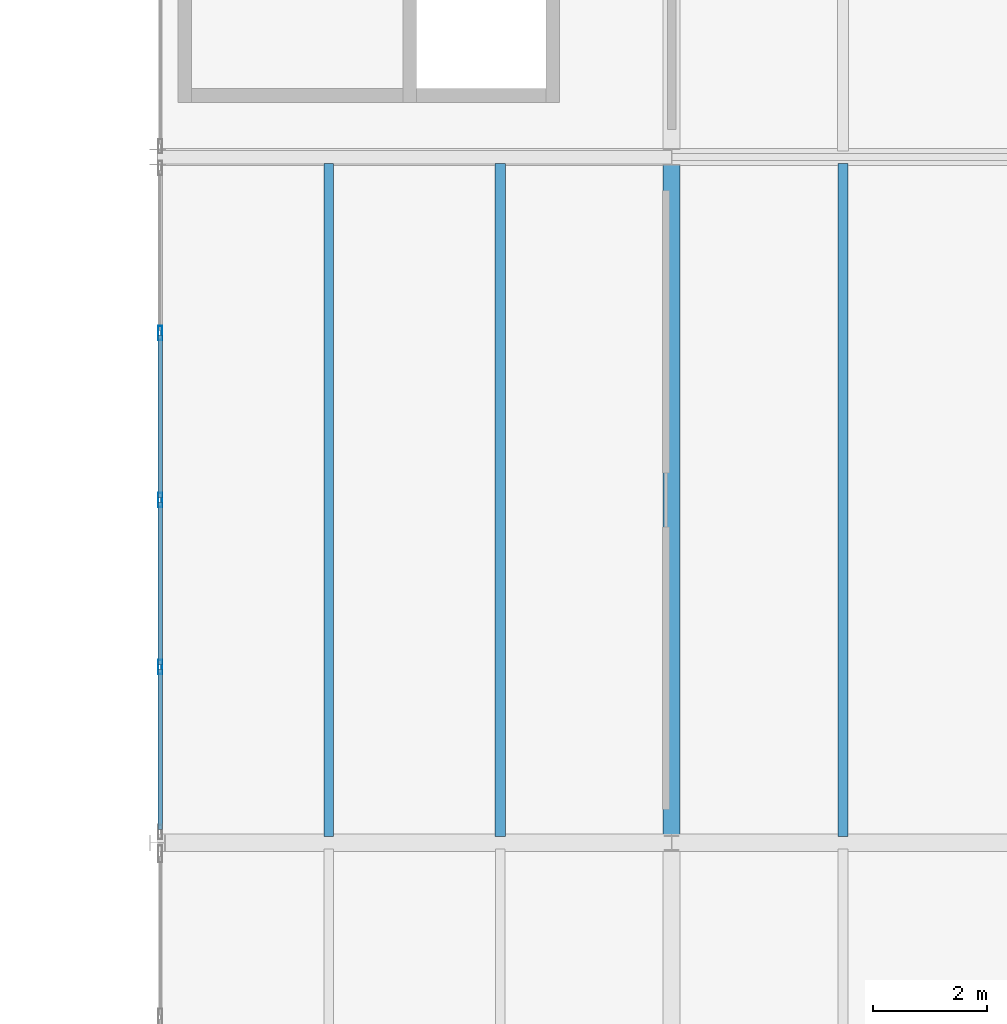
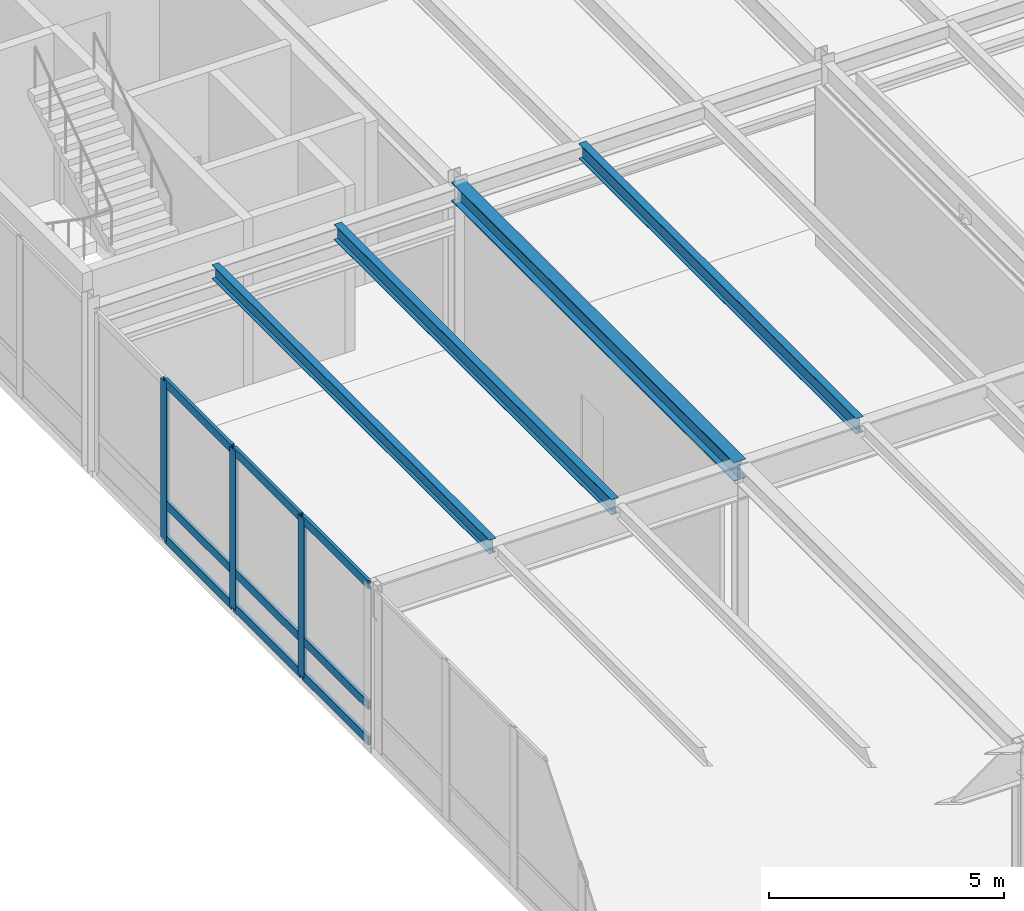
# One storey, part 43 of 115: 12 members, 4 beams, 1 element without a shape of its own.
"""IFC4 building model written with IfcOpenShell, lengths in metres."""

from ifc_helpers import new_model, si_unit, direction, frame, origin, origin_2d, place, context, subcontext, project, spatial, hollow_rectangle, i_section, extrude, material, layer, layer_set, material_profile, profile_set, type_object, element, aggregate, save


model = new_model("IFC4")

# Units and contexts
model_context = context("Model", 3, precision=1e-05, world=origin(), true_north=direction((0.0, 1.0)))
body_context = subcontext(model_context, "Body", "Model", "MODEL_VIEW")
ifc_project = project(units=[si_unit("LENGTHUNIT", "METRE"), si_unit("AREAUNIT", "SQUARE_METRE"), si_unit("VOLUMEUNIT", "CUBIC_METRE"), si_unit("PLANEANGLEUNIT", "RADIAN"), si_unit("MASSUNIT", "GRAM", prefix="KILO")], contexts=[model_context])

# Site, building, storey
site_placement = place(None, origin())
site = spatial("IfcSite", under=ifc_project, at=site_placement, CompositionType="ELEMENT")
building_placement = place(site_placement, origin())
building = spatial("IfcBuilding", under=site, at=building_placement, Name="Montelvaro Courts of Justice", CompositionType="ELEMENT")
storey_placement = place(building_placement, frame((0.0, 0.0, 9.89990234375)))
storey = spatial("IfcBuildingStorey", under=building, at=storey_placement, Name="L02", CompositionType="ELEMENT", Elevation=9.89990234375)

# Beams
ifc_material_1 = material(Name="Steel S355", Category="steel")
ifc_material_profile_1 = material_profile(ifc_material_1, i_section(OverallWidth=0.300048828125, OverallDepth=0.489990234375, WebThickness=0.011962890625, FlangeThickness=0.02294921875, at=origin_2d()), Name="HEA 500")
ifc_profile_set_1 = profile_set([ifc_material_profile_1], Name="Steel S355")
beam_type_1 = type_object("IfcBeamType", Name="Beam_HEA500", PredefinedType="USERDEFINED", material=ifc_profile_set_1)
beam_1_placement = place(storey_placement, frame((108.0, 54.0, 4.05517578125), z_axis=(0.0, 1.0, 0.0), x_axis=(-1.0, 0.0, 0.0)))
element("IfcBeam", 1, at=beam_1_placement, inside=storey, type_object=beam_type_1, Name="Beam B-19 L02", ObjectType="GIRDER", PredefinedType="USERDEFINED", context=body_context, shape_type="SweptSolid", body=[
    extrude(i_section(OverallWidth=0.300048828125, OverallDepth=0.489990234375, WebThickness=0.011962890625, FlangeThickness=0.02294921875, at=origin_2d()), origin(), (0.0, 0.0, 1.0), 12.0),
])
ifc_material_profile_2 = material_profile(ifc_material_1, i_section(OverallWidth=0.169921875, OverallDepth=0.360107421875, WebThickness=0.008056640625, FlangeThickness=0.0126953125, at=origin_2d()), Name="IPE 360")
ifc_profile_set_2 = profile_set([ifc_material_profile_2], Name="Steel S355")
beam_type_2 = type_object("IfcBeamType", Name="Beam_IPE360", PredefinedType="BEAM", material=ifc_profile_set_2)
beam_2_placement = place(storey_placement, frame((102.0, 54.110107421875, 4.1201171875), z_axis=(0.0, 1.0, 0.0), x_axis=(-1.0, 0.0, 0.0)))
element("IfcBeam", 2, at=beam_2_placement, inside=storey, type_object=beam_type_2, Name="Beam B-07 L02", PredefinedType="BEAM", context=body_context, shape_type="SweptSolid", body=[
    extrude(i_section(OverallWidth=0.169921875, OverallDepth=0.360107421875, WebThickness=0.008056640625, FlangeThickness=0.0126953125, at=origin_2d()), origin(), (0.0, 0.0, 1.0), 11.77978515625),
])
ifc_material_profile_3 = material_profile(ifc_material_1, i_section(OverallWidth=0.179931640625, OverallDepth=0.39990234375, WebThickness=0.008544921875, FlangeThickness=0.013427734375, at=origin_2d()), Name="IPE 400")
ifc_profile_set_3 = profile_set([ifc_material_profile_3], Name="Steel S355")
beam_type_3 = type_object("IfcBeamType", Name="Beam_IPE400", PredefinedType="BEAM", material=ifc_profile_set_3)
for number, where, z_axis, x_axis, name in (
    (3, (105.0, 54.110107421875, 4.10009765625), (0.0, 1.0, 0.0), (-1.0, 0.0, 0.0), "Beam B-08 L02"),
    (4, (111.0, 54.110107421875, 4.10009765625), (0.0, 1.0, 0.0), (-1.0, 0.0, 0.0), "Beam B-08 L02"),
):
    element("IfcBeam", number, at=place(storey_placement, frame(where, z_axis=z_axis, x_axis=x_axis)), inside=storey, type_object=beam_type_3, Name=name, PredefinedType="BEAM", context=body_context, shape_type="SweptSolid", body=[
        extrude(i_section(OverallWidth=0.179931640625, OverallDepth=0.39990234375, WebThickness=0.008544921875, FlangeThickness=0.013427734375, at=origin_2d()), origin(), (0.0, 0.0, 1.0), 11.77978515625),
    ])

# Curtain wall, members
ifc_material_2 = material(Name="Anodised aluminium EN AW-6063", Category="aluminium")
ifc_layer = layer(ifc_material_2, 0.159912109375)
ifc_layer_set = layer_set([ifc_layer], Name="Anodised aluminium EN AW-6063")
curtain_wall_type = type_object("IfcCurtainWallType", Name="CurtainWall_24_1169x418", PredefinedType="USERDEFINED", material=ifc_layer_set)
curtain_wall_placement = place(storey_placement, origin())
curtain_wall = element("IfcCurtainWall", 5, at=curtain_wall_placement, inside=storey, type_object=curtain_wall_type, Name="Curtain Wall CW-24 (L02)", ObjectType="CURTAIN WALL", PredefinedType="USERDEFINED")
ifc_material_profile_4 = material_profile(ifc_material_2, hollow_rectangle(XDim=0.074951171875, YDim=0.25, WallThickness=0.005615234375, at=origin_2d()), Name="ALU-M 75x250")
ifc_profile_set_4 = profile_set([ifc_material_profile_4], Name="Anodised aluminium EN AW-6063")
member_type_1 = type_object("IfcMemberType", Name="CurtainWall_Mullion_75x250", PredefinedType="MULLION", material=ifc_profile_set_4)
member_1_placement = place(storey_placement, frame((99.050048828125, 62.922607421875, 0.0), z_axis=(0.0, 0.0, 1.0), x_axis=(1.0, 0.0, 0.0)))
member_1 = element("IfcMember", 6, at=member_1_placement, type_object=member_type_1, Name="CW-24 mullion 2", PredefinedType="MULLION", context=body_context, shape_type="SweptSolid", body=[
    extrude(hollow_rectangle(XDim=0.074951171875, YDim=0.25, WallThickness=0.005615234375, at=origin_2d()), origin(), (0.0, 0.0, 1.0), 4.1201171875),
])
member_2_placement = place(storey_placement, frame((99.050048828125, 60.0, 0.0), z_axis=(0.0, 0.0, 1.0), x_axis=(1.0, 0.0, 0.0)))
member_2 = element("IfcMember", 7, at=member_2_placement, type_object=member_type_1, Name="CW-24 mullion 3", PredefinedType="MULLION", context=body_context, shape_type="SweptSolid", body=[
    extrude(hollow_rectangle(XDim=0.074951171875, YDim=0.25, WallThickness=0.005615234375, at=origin_2d()), origin(), (0.0, 0.0, 1.0), 4.1201171875),
])
member_3_placement = place(storey_placement, frame((99.050048828125, 57.077392578125, 0.0), z_axis=(0.0, 0.0, 1.0), x_axis=(1.0, 0.0, 0.0)))
member_3 = element("IfcMember", 8, at=member_3_placement, type_object=member_type_1, Name="CW-24 mullion 4", PredefinedType="MULLION", context=body_context, shape_type="SweptSolid", body=[
    extrude(hollow_rectangle(XDim=0.074951171875, YDim=0.25, WallThickness=0.005615234375, at=origin_2d()), origin(), (0.0, 0.0, 1.0), 4.1201171875),
])
ifc_material_profile_5 = material_profile(ifc_material_2, hollow_rectangle(XDim=0.074951171875, YDim=0.219970703125, WallThickness=0.005615234375, at=origin_2d()), Name="ALU-T 75x220")
ifc_profile_set_5 = profile_set([ifc_material_profile_5], Name="Anodised aluminium EN AW-6063")
member_type_2 = type_object("IfcMemberType", Name="CurtainWall_Transom_75x220", PredefinedType="USERDEFINED", material=ifc_profile_set_5)
member_4_placement = place(storey_placement, frame((99.050048828125, 62.885009765625, 0.03759765625), z_axis=(0.0, -1.0, 0.0), x_axis=(1.0, 0.0, 0.0)))
member_4 = element("IfcMember", 9, at=member_4_placement, type_object=member_type_2, Name="CW-24 transom 2.1", ObjectType="TRANSOM", PredefinedType="USERDEFINED", context=body_context, shape_type="SweptSolid", body=[
    extrude(hollow_rectangle(XDim=0.074951171875, YDim=0.219970703125, WallThickness=0.005615234375, at=origin_2d()), origin(), (0.0, 0.0, 1.0), 2.847412109375),
])
member_5_placement = place(storey_placement, frame((99.050048828125, 62.885009765625, 0.9501953125), z_axis=(0.0, -1.0, 0.0), x_axis=(1.0, 0.0, 0.0)))
member_5 = element("IfcMember", 10, at=member_5_placement, type_object=member_type_2, Name="CW-24 transom 2.2", ObjectType="TRANSOM", PredefinedType="USERDEFINED", context=body_context, shape_type="SweptSolid", body=[
    extrude(hollow_rectangle(XDim=0.074951171875, YDim=0.219970703125, WallThickness=0.005615234375, at=origin_2d()), origin(), (0.0, 0.0, 1.0), 2.847412109375),
])
member_6_placement = place(storey_placement, frame((99.050048828125, 62.885009765625, 4.08251953125), z_axis=(0.0, -1.0, 0.0), x_axis=(1.0, 0.0, 0.0)))
member_6 = element("IfcMember", 11, at=member_6_placement, type_object=member_type_2, Name="CW-24 transom 2.3", ObjectType="TRANSOM", PredefinedType="USERDEFINED", context=body_context, shape_type="SweptSolid", body=[
    extrude(hollow_rectangle(XDim=0.074951171875, YDim=0.219970703125, WallThickness=0.005615234375, at=origin_2d()), origin(), (0.0, 0.0, 1.0), 2.847412109375),
])
member_7_placement = place(storey_placement, frame((99.050048828125, 59.96240234375, 0.03759765625), z_axis=(0.0, -1.0, 0.0), x_axis=(1.0, 0.0, 0.0)))
member_7 = element("IfcMember", 12, at=member_7_placement, type_object=member_type_2, Name="CW-24 transom 3.1", ObjectType="TRANSOM", PredefinedType="USERDEFINED", context=body_context, shape_type="SweptSolid", body=[
    extrude(hollow_rectangle(XDim=0.074951171875, YDim=0.219970703125, WallThickness=0.005615234375, at=origin_2d()), origin(), (0.0, 0.0, 1.0), 2.847412109375),
])
member_8_placement = place(storey_placement, frame((99.050048828125, 59.96240234375, 0.9501953125), z_axis=(0.0, -1.0, 0.0), x_axis=(1.0, 0.0, 0.0)))
member_8 = element("IfcMember", 13, at=member_8_placement, type_object=member_type_2, Name="CW-24 transom 3.2", ObjectType="TRANSOM", PredefinedType="USERDEFINED", context=body_context, shape_type="SweptSolid", body=[
    extrude(hollow_rectangle(XDim=0.074951171875, YDim=0.219970703125, WallThickness=0.005615234375, at=origin_2d()), origin(), (0.0, 0.0, 1.0), 2.847412109375),
])
member_9_placement = place(storey_placement, frame((99.050048828125, 59.96240234375, 4.08251953125), z_axis=(0.0, -1.0, 0.0), x_axis=(1.0, 0.0, 0.0)))
member_9 = element("IfcMember", 14, at=member_9_placement, type_object=member_type_2, Name="CW-24 transom 3.3", ObjectType="TRANSOM", PredefinedType="USERDEFINED", context=body_context, shape_type="SweptSolid", body=[
    extrude(hollow_rectangle(XDim=0.074951171875, YDim=0.219970703125, WallThickness=0.005615234375, at=origin_2d()), origin(), (0.0, 0.0, 1.0), 2.847412109375),
])
member_10_placement = place(storey_placement, frame((99.050048828125, 57.0400390625, 0.03759765625), z_axis=(0.0, -1.0, 0.0), x_axis=(1.0, 0.0, 0.0)))
member_10 = element("IfcMember", 15, at=member_10_placement, type_object=member_type_2, Name="CW-24 transom 4.1", ObjectType="TRANSOM", PredefinedType="USERDEFINED", context=body_context, shape_type="SweptSolid", body=[
    extrude(hollow_rectangle(XDim=0.074951171875, YDim=0.219970703125, WallThickness=0.005615234375, at=origin_2d()), origin(), (0.0, 0.0, 1.0), 2.81005859375),
])
member_11_placement = place(storey_placement, frame((99.050048828125, 57.0400390625, 0.9501953125), z_axis=(0.0, -1.0, 0.0), x_axis=(1.0, 0.0, 0.0)))
member_11 = element("IfcMember", 16, at=member_11_placement, type_object=member_type_2, Name="CW-24 transom 4.2", ObjectType="TRANSOM", PredefinedType="USERDEFINED", context=body_context, shape_type="SweptSolid", body=[
    extrude(hollow_rectangle(XDim=0.074951171875, YDim=0.219970703125, WallThickness=0.005615234375, at=origin_2d()), origin(), (0.0, 0.0, 1.0), 2.81005859375),
])
member_12_placement = place(storey_placement, frame((99.050048828125, 57.0400390625, 4.08251953125), z_axis=(0.0, -1.0, 0.0), x_axis=(1.0, 0.0, 0.0)))
member_12 = element("IfcMember", 17, at=member_12_placement, type_object=member_type_2, Name="CW-24 transom 4.3", ObjectType="TRANSOM", PredefinedType="USERDEFINED", context=body_context, shape_type="SweptSolid", body=[
    extrude(hollow_rectangle(XDim=0.074951171875, YDim=0.219970703125, WallThickness=0.005615234375, at=origin_2d()), origin(), (0.0, 0.0, 1.0), 2.81005859375),
])
aggregate(curtain_wall, [member_1, member_2, member_3, member_4, member_5, member_6, member_7, member_8, member_9, member_10, member_11, member_12])

save(model, "model.ifc")
